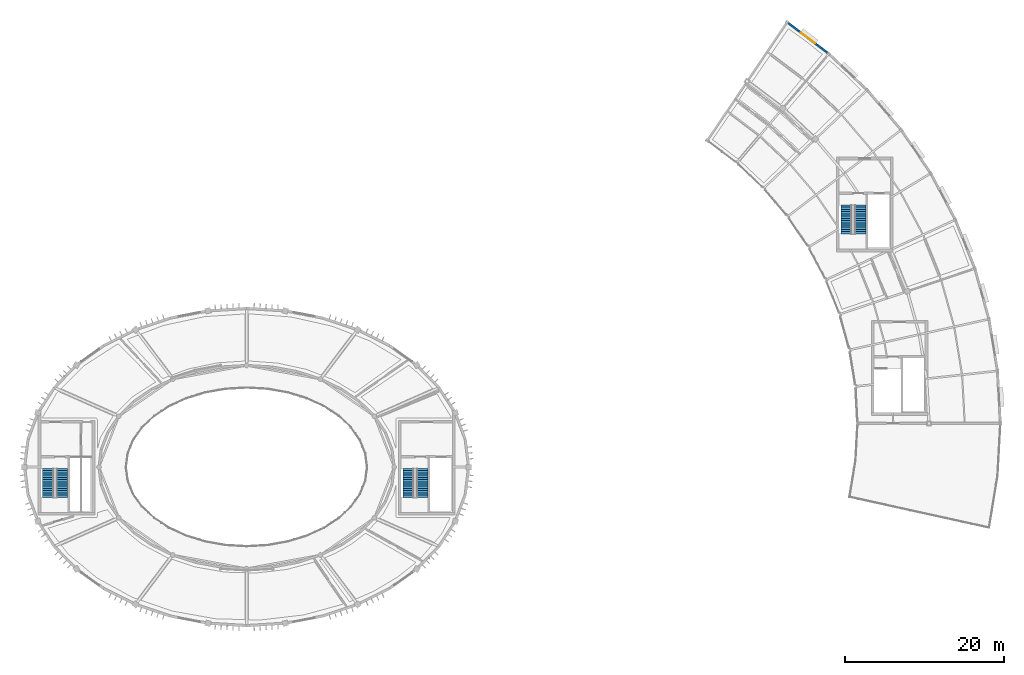
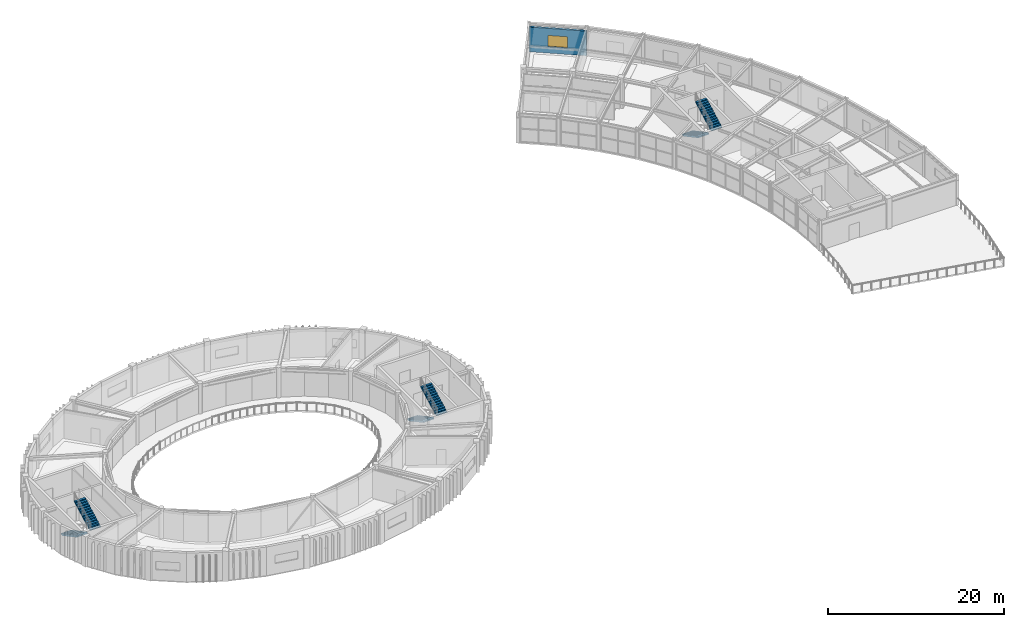
# One storey, part 21 of 29: 6 stair flights, 1 wall, 1 window, 1 opening, 3 elements without a shape of their own.
"""IFC4 building model written with IfcOpenShell, lengths in metres."""

from ifc_helpers import new_model, si_unit, direction, frame, frame_2d, origin, place, context, subcontext, project, spatial, polyline, rectangle, outline, extrude, material, layer, layer_set, type_object, element, fill, aggregate, save


model = new_model("IFC4")

# Units and contexts
model_context = context("Model", 3, precision=1e-05, world=origin(), true_north=direction((0.0, 1.0)))
body_context = subcontext(model_context, "Body", "Model", "MODEL_VIEW")
ifc_project = project(units=[si_unit("LENGTHUNIT", "METRE"), si_unit("AREAUNIT", "SQUARE_METRE"), si_unit("VOLUMEUNIT", "CUBIC_METRE"), si_unit("PLANEANGLEUNIT", "RADIAN"), si_unit("MASSUNIT", "GRAM", prefix="KILO")], contexts=[model_context])

# Site, building, storey
site_placement = place(None, origin())
site = spatial("IfcSite", under=ifc_project, at=site_placement, CompositionType="ELEMENT")
building_placement = place(site_placement, origin())
building = spatial("IfcBuilding", under=site, at=building_placement, Name="Tarnveldt Headland Concert Hall", CompositionType="ELEMENT")
storey_placement = place(building_placement, frame((0.0, 0.0, 18.60009765625)))
storey = spatial("IfcBuildingStorey", under=building, at=storey_placement, Name="L04", CompositionType="ELEMENT", Elevation=18.60009765625)

# Wall, opening, window
ifc_material_1 = material(Name="Coral-toned precast concrete C40/50", Category="concrete")
ifc_layer = layer(ifc_material_1, 0.239990234375, Name="Coral-toned precast concrete C40/50", Category="concrete")
ifc_layer_set = layer_set([ifc_layer], Name="Coral-toned precast concrete C40/50")
wall_type = type_object("IfcWallType", Name="WL-EX240", PredefinedType="SOLIDWALL", material=ifc_layer_set)
wall_placement = place(storey_placement, frame((151.626708984375, 110.55908203125, 0.0), z_axis=(0.0, 0.0, 1.0), x_axis=(0.797477783019, -0.603348311998, 0.0)))
wall = element("IfcWall", 1, at=wall_placement, inside=storey, type_object=wall_type, Name="External precast wall L04-171", PredefinedType="SOLIDWALL", context=body_context, shape_type="SweptSolid", body=[
    extrude(rectangle(XDim=6.5810546875, YDim=0.239990234375, at=frame_2d((3.29052734375, 0.0))), origin(), (0.0, 0.0, 1.0), 3.41796875),
])
opening_placement = place(wall_placement, frame((2.190673828125, 0.0, 0.89990234375)))
opening = element("IfcOpeningElement", 2, at=opening_placement, cuts=wall, Name="Opening W-C089", PredefinedType="OPENING", context=body_context, shape_type="SweptSolid", body=[
    extrude(rectangle(XDim=2.199951171875, YDim=1.550048828125, at=frame_2d((1.10009765625, 0.77490234375))), frame((0.0, 0.1298828125, 0.0), z_axis=(0.0, -1.0, 0.0), x_axis=(1.0, 0.0, 0.0)), (0.0, 0.0, 1.0), 0.260009765625),
])
ifc_material_2 = material(Name="Acoustic laminated low-iron double glazing", Category="glass")
window_type = type_object("IfcWindowType", Name="WN-07", PartitioningType="SINGLE_PANEL", PredefinedType="WINDOW", material=ifc_material_2)
window_placement = place(opening_placement, origin())
window = element("IfcWindow", 3, at=window_placement, inside=storey, type_object=window_type, Name="Crescent coastal studio window L04-18", OverallHeight=1.550048828125, OverallWidth=2.199951171875, PartitioningType="SINGLE_PANEL", PredefinedType="WINDOW", context=body_context, shape_type="SweptSolid", body=[
    extrude(rectangle(XDim=2.199951171875, YDim=1.550048828125, at=frame_2d((1.10009765625, 0.77490234375))), frame((0.0, 0.030029296875, 0.0), z_axis=(0.0, -1.0, 0.0), x_axis=(1.0, 0.0, 0.0)), (0.0, 0.0, 1.0), 0.06005859375),
])
fill(opening, window)

# Stair, stair flights
ifc_material_3 = material(Name="Concrete C40/50", Category="concrete")
stair_type = type_object("IfcStairType", Name="ST-CORE420", PredefinedType="HALF_TURN_STAIR", material=ifc_material_3)
stair_1_placement = place(storey_placement, origin())
stair_1 = element("IfcStair", 4, at=stair_1_placement, inside=storey, type_object=stair_type, Name="Exit stair STR-C1-L04", PredefinedType="HALF_TURN_STAIR")
stair_flight_type = type_object("IfcStairFlightType", Name="SF-140x150", PredefinedType="STRAIGHT", material=ifc_material_3)
stair_flight_1_placement = place(storey_placement, frame((58.489990234375, 54.320068359375, 0.0), z_axis=(0.0, 0.0, 1.0), x_axis=(0.0, -1.0, 0.0)))
stair_flight_1 = element("IfcStairFlight", 5, at=stair_flight_1_placement, type_object=stair_flight_type, Name="Stair flight STR-C1-L04-F1", NumberOfRisers=14, NumberOfTreads=13, PredefinedType="STRAIGHT", RiserHeight=0.15, TreadLength=0.28, context=body_context, shape_type="SweptSolid", body=[
    extrude(outline(polyline([(0.0, 0.0), (0.0, 0.14990234375), (0.280029296875, 0.14990234375), (0.280029296875, 0.300048828125), (0.56005859375, 0.300048828125), (0.56005859375, 0.449951171875), (0.840087890625, 0.449951171875), (0.840087890625, 0.60009765625), (1.1201171875, 0.60009765625), (1.1201171875, 0.75), (1.39990234375, 0.75), (1.39990234375, 0.89990234375), (1.679931640625, 0.89990234375), (1.679931640625, 1.050048828125), (1.9599609375, 1.050048828125), (1.9599609375, 1.199951171875), (2.239990234375, 1.199951171875), (2.239990234375, 1.35009765625), (2.52001953125, 1.35009765625), (2.52001953125, 1.5), (2.800048828125, 1.5), (2.800048828125, 1.64990234375), (3.080078125, 1.64990234375), (3.080078125, 1.800048828125), (3.360107421875, 1.800048828125), (3.360107421875, 1.949951171875), (3.639892578125, 1.949951171875), (3.639892578125, 2.10009765625), (3.639892578125, 1.7685546875), (0.338623046875, 0.0), (0.0, 0.0)])), frame((0.0, 0.699951171875, 0.0), z_axis=(0.0, -1.0, 0.0), x_axis=(1.0, 0.0, 0.0)), (0.0, 0.0, 1.0), 1.39990234375),
])
stair_flight_2_placement = place(storey_placement, frame((60.22998046875, 50.679931640625, 2.099853515625), z_axis=(0.0, 0.0, 1.0), x_axis=(0.0, 1.0, 0.0)))
stair_flight_2 = element("IfcStairFlight", 6, at=stair_flight_2_placement, type_object=stair_flight_type, Name="Stair flight STR-C1-L04-F2", NumberOfRisers=14, NumberOfTreads=13, PredefinedType="STRAIGHT", RiserHeight=0.15, TreadLength=0.28, context=body_context, shape_type="SweptSolid", body=[
    extrude(outline(polyline([(0.0, 0.0), (0.0, 0.14990234375), (0.280029296875, 0.14990234375), (0.280029296875, 0.300048828125), (0.56005859375, 0.300048828125), (0.56005859375, 0.449951171875), (0.840087890625, 0.449951171875), (0.840087890625, 0.60009765625), (1.1201171875, 0.60009765625), (1.1201171875, 0.75), (1.39990234375, 0.75), (1.39990234375, 0.89990234375), (1.679931640625, 0.89990234375), (1.679931640625, 1.050048828125), (1.9599609375, 1.050048828125), (1.9599609375, 1.199951171875), (2.239990234375, 1.199951171875), (2.239990234375, 1.35009765625), (2.52001953125, 1.35009765625), (2.52001953125, 1.5), (2.800048828125, 1.5), (2.800048828125, 1.64990234375), (3.080078125, 1.64990234375), (3.080078125, 1.800048828125), (3.360107421875, 1.800048828125), (3.360107421875, 1.949951171875), (3.639892578125, 1.949951171875), (3.639892578125, 2.10009765625), (3.639892578125, 1.7685546875), (0.338623046875, 0.0), (0.0, 0.0)])), frame((0.0, 0.699951171875, 0.0), z_axis=(0.0, -1.0, 0.0), x_axis=(1.0, 0.0, 0.0)), (0.0, 0.0, 1.0), 1.39990234375),
])
aggregate(stair_1, [stair_flight_1, stair_flight_2])

stair_2_placement = place(storey_placement, origin())
stair_2 = element("IfcStair", 7, at=stair_2_placement, inside=storey, type_object=stair_type, Name="Exit stair STR-C2-L04", PredefinedType="HALF_TURN_STAIR")
stair_flight_3_placement = place(storey_placement, frame((103.889892578125, 54.320068359375, 0.0), z_axis=(0.0, 0.0, 1.0), x_axis=(0.0, -1.0, 0.0)))
stair_flight_3 = element("IfcStairFlight", 8, at=stair_flight_3_placement, type_object=stair_flight_type, Name="Stair flight STR-C2-L04-F1", NumberOfRisers=14, NumberOfTreads=13, PredefinedType="STRAIGHT", RiserHeight=0.15, TreadLength=0.28, context=body_context, shape_type="SweptSolid", body=[
    extrude(outline(polyline([(0.0, 0.0), (0.0, 0.14990234375), (0.280029296875, 0.14990234375), (0.280029296875, 0.300048828125), (0.56005859375, 0.300048828125), (0.56005859375, 0.449951171875), (0.840087890625, 0.449951171875), (0.840087890625, 0.60009765625), (1.1201171875, 0.60009765625), (1.1201171875, 0.75), (1.39990234375, 0.75), (1.39990234375, 0.89990234375), (1.679931640625, 0.89990234375), (1.679931640625, 1.050048828125), (1.9599609375, 1.050048828125), (1.9599609375, 1.199951171875), (2.239990234375, 1.199951171875), (2.239990234375, 1.35009765625), (2.52001953125, 1.35009765625), (2.52001953125, 1.5), (2.800048828125, 1.5), (2.800048828125, 1.64990234375), (3.080078125, 1.64990234375), (3.080078125, 1.800048828125), (3.360107421875, 1.800048828125), (3.360107421875, 1.949951171875), (3.639892578125, 1.949951171875), (3.639892578125, 2.10009765625), (3.639892578125, 1.7685546875), (0.338623046875, 0.0), (0.0, 0.0)])), frame((0.0, 0.699951171875, 0.0), z_axis=(0.0, -1.0, 0.0), x_axis=(1.0, 0.0, 0.0)), (0.0, 0.0, 1.0), 1.39990234375),
])
stair_flight_4_placement = place(storey_placement, frame((105.6298828125, 50.679931640625, 2.099853515625), z_axis=(0.0, 0.0, 1.0), x_axis=(0.0, 1.0, 0.0)))
stair_flight_4 = element("IfcStairFlight", 9, at=stair_flight_4_placement, type_object=stair_flight_type, Name="Stair flight STR-C2-L04-F2", NumberOfRisers=14, NumberOfTreads=13, PredefinedType="STRAIGHT", RiserHeight=0.15, TreadLength=0.28, context=body_context, shape_type="SweptSolid", body=[
    extrude(outline(polyline([(0.0, 0.0), (0.0, 0.14990234375), (0.280029296875, 0.14990234375), (0.280029296875, 0.300048828125), (0.56005859375, 0.300048828125), (0.56005859375, 0.449951171875), (0.840087890625, 0.449951171875), (0.840087890625, 0.60009765625), (1.1201171875, 0.60009765625), (1.1201171875, 0.75), (1.39990234375, 0.75), (1.39990234375, 0.89990234375), (1.679931640625, 0.89990234375), (1.679931640625, 1.050048828125), (1.9599609375, 1.050048828125), (1.9599609375, 1.199951171875), (2.239990234375, 1.199951171875), (2.239990234375, 1.35009765625), (2.52001953125, 1.35009765625), (2.52001953125, 1.5), (2.800048828125, 1.5), (2.800048828125, 1.64990234375), (3.080078125, 1.64990234375), (3.080078125, 1.800048828125), (3.360107421875, 1.800048828125), (3.360107421875, 1.949951171875), (3.639892578125, 1.949951171875), (3.639892578125, 2.10009765625), (3.639892578125, 1.7685546875), (0.338623046875, 0.0), (0.0, 0.0)])), frame((0.0, 0.699951171875, 0.0), z_axis=(0.0, -1.0, 0.0), x_axis=(1.0, 0.0, 0.0)), (0.0, 0.0, 1.0), 1.39990234375),
])
aggregate(stair_2, [stair_flight_3, stair_flight_4])

stair_3_placement = place(storey_placement, origin())
stair_3 = element("IfcStair", 10, at=stair_3_placement, inside=storey, type_object=stair_type, Name="Exit stair STR-C3-L04", PredefinedType="HALF_TURN_STAIR")
stair_flight_5_placement = place(storey_placement, frame((159.090087890625, 87.52001953125, 0.0), z_axis=(0.0, 0.0, 1.0), x_axis=(0.0, -1.0, 0.0)))
stair_flight_5 = element("IfcStairFlight", 11, at=stair_flight_5_placement, type_object=stair_flight_type, Name="Stair flight STR-C3-L04-F1", NumberOfRisers=14, NumberOfTreads=13, PredefinedType="STRAIGHT", RiserHeight=0.15, TreadLength=0.28, context=body_context, shape_type="SweptSolid", body=[
    extrude(outline(polyline([(0.0, 0.0), (0.0, 0.14990234375), (0.280029296875, 0.14990234375), (0.280029296875, 0.300048828125), (0.56005859375, 0.300048828125), (0.56005859375, 0.449951171875), (0.840087890625, 0.449951171875), (0.840087890625, 0.60009765625), (1.1201171875, 0.60009765625), (1.1201171875, 0.75), (1.39990234375, 0.75), (1.39990234375, 0.89990234375), (1.679931640625, 0.89990234375), (1.679931640625, 1.050048828125), (1.9599609375, 1.050048828125), (1.9599609375, 1.199951171875), (2.239990234375, 1.199951171875), (2.239990234375, 1.35009765625), (2.52001953125, 1.35009765625), (2.52001953125, 1.5), (2.800048828125, 1.5), (2.800048828125, 1.64990234375), (3.080078125, 1.64990234375), (3.080078125, 1.800048828125), (3.360107421875, 1.800048828125), (3.360107421875, 1.949951171875), (3.639892578125, 1.949951171875), (3.639892578125, 2.10009765625), (3.639892578125, 1.7685546875), (0.338623046875, 0.0), (0.0, 0.0)])), frame((0.0, 0.699951171875, 0.0), z_axis=(0.0, -1.0, 0.0), x_axis=(1.0, 0.0, 0.0)), (0.0, 0.0, 1.0), 1.39990234375),
])
stair_flight_6_placement = place(storey_placement, frame((160.830078125, 83.8798828125, 2.099853515625), z_axis=(0.0, 0.0, 1.0), x_axis=(0.0, 1.0, 0.0)))
stair_flight_6 = element("IfcStairFlight", 12, at=stair_flight_6_placement, type_object=stair_flight_type, Name="Stair flight STR-C3-L04-F2", NumberOfRisers=14, NumberOfTreads=13, PredefinedType="STRAIGHT", RiserHeight=0.15, TreadLength=0.28, context=body_context, shape_type="SweptSolid", body=[
    extrude(outline(polyline([(0.0, 0.0), (0.0, 0.14990234375), (0.280029296875, 0.14990234375), (0.280029296875, 0.300048828125), (0.56005859375, 0.300048828125), (0.56005859375, 0.449951171875), (0.840087890625, 0.449951171875), (0.840087890625, 0.60009765625), (1.1201171875, 0.60009765625), (1.1201171875, 0.75), (1.39990234375, 0.75), (1.39990234375, 0.89990234375), (1.679931640625, 0.89990234375), (1.679931640625, 1.050048828125), (1.9599609375, 1.050048828125), (1.9599609375, 1.199951171875), (2.239990234375, 1.199951171875), (2.239990234375, 1.35009765625), (2.52001953125, 1.35009765625), (2.52001953125, 1.5), (2.800048828125, 1.5), (2.800048828125, 1.64990234375), (3.080078125, 1.64990234375), (3.080078125, 1.800048828125), (3.360107421875, 1.800048828125), (3.360107421875, 1.949951171875), (3.639892578125, 1.949951171875), (3.639892578125, 2.10009765625), (3.639892578125, 1.7685546875), (0.338623046875, 0.0), (0.0, 0.0)])), frame((0.0, 0.699951171875, 0.0), z_axis=(0.0, -1.0, 0.0), x_axis=(1.0, 0.0, 0.0)), (0.0, 0.0, 1.0), 1.39990234375),
])
aggregate(stair_3, [stair_flight_5, stair_flight_6])

save(model, "model.ifc")
